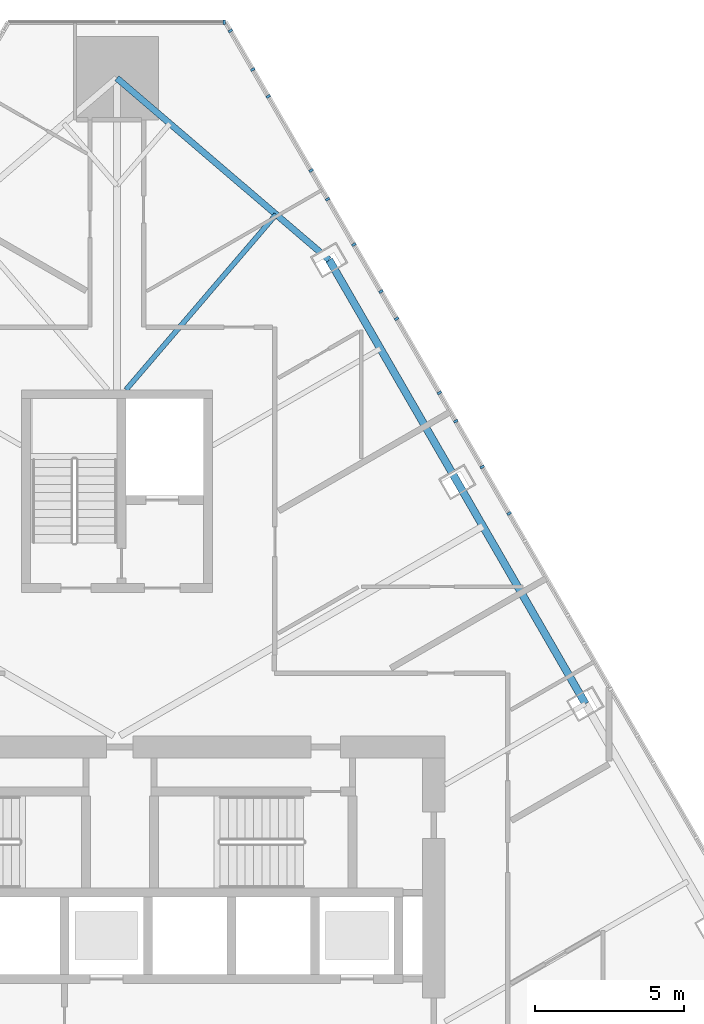
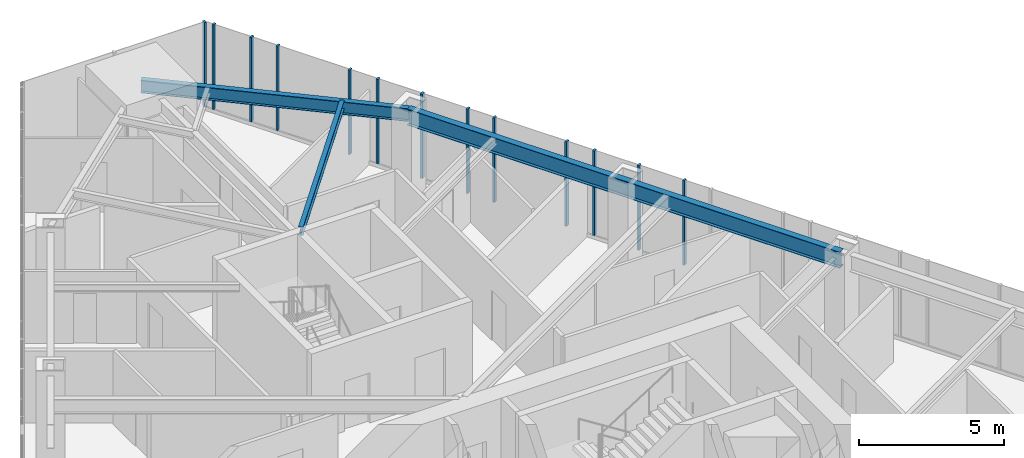
# One storey, part 12 of 24: 13 members, 3 beams, 2 elements without a shape of their own.
"""IFC4 building model written with IfcOpenShell, lengths in metres."""

from ifc_helpers import new_model, si_unit, direction, frame, origin, origin_2d, place, context, subcontext, project, spatial, rectangle, i_section, extrude, material, layer, layer_set, material_profile, profile_set, type_object, element, aggregate, save


model = new_model("IFC4")

# Units and contexts
model_context = context("Model", 3, precision=1e-05, world=origin(), true_north=direction((0.0, 1.0)))
body_context = subcontext(model_context, "Body", "Model", "MODEL_VIEW")
ifc_project = project(units=[si_unit("LENGTHUNIT", "METRE"), si_unit("AREAUNIT", "SQUARE_METRE"), si_unit("VOLUMEUNIT", "CUBIC_METRE"), si_unit("PLANEANGLEUNIT", "RADIAN"), si_unit("MASSUNIT", "GRAM", prefix="KILO")], contexts=[model_context])

# Site, building, storey
site_placement = place(None, origin())
site = spatial("IfcSite", under=ifc_project, at=site_placement, CompositionType="ELEMENT")
building_placement = place(site_placement, origin())
building = spatial("IfcBuilding", under=site, at=building_placement, Name="Firuza Gate Tower and Library", CompositionType="ELEMENT")
storey_placement = place(building_placement, frame((0.0, 0.0, 206.5)))
storey = spatial("IfcBuildingStorey", under=building, at=storey_placement, Name="L48", CompositionType="ELEMENT", Elevation=206.5)

# Curtain wall, members
ifc_material_1 = material(Name="Aluminium 6063-T6", Category="aluminium")
ifc_layer_1 = layer(ifc_material_1, 0.14990234375)
ifc_layer_set_1 = layer_set([ifc_layer_1], Name="Unitised curtain wall, hotel")
curtain_wall_type_1 = type_object("IfcCurtainWallType", Name="Unitised curtain wall, hotel", PredefinedType="NOTDEFINED", material=ifc_layer_set_1)
placement = place(storey_placement, origin())
curtain_wall_1 = element("IfcCurtainWall", 1, at=placement, inside=storey, type_object=curtain_wall_type_1, Name="CW2 L48 E face", PredefinedType="NOTDEFINED")
ifc_material_2 = material(Name="Aluminium 6063-T6", Category="aluminium")
ifc_material_profile_1 = material_profile(ifc_material_2, rectangle(XDim=0.14990234375, YDim=0.080078125, at=origin_2d()))
ifc_profile_set_1 = profile_set([ifc_material_profile_1], Name="Aluminium 6063-T6")
member_type = type_object("IfcMemberType", Name="Curtain wall mullion 80x150", PredefinedType="MULLION", material=ifc_profile_set_1)
member_1_placement = place(storey_placement, frame((87.25146484375, 92.01318359375, 0.14990234375), z_axis=(0.0, 0.0, 1.0), x_axis=(-0.866025403784, -0.5, 0.0)))
member_1 = element("IfcMember", 2, at=member_1_placement, type_object=member_type, Name="Mullion", PredefinedType="MULLION", context=body_context, shape_type="SweptSolid", body=[
    extrude(rectangle(XDim=0.14990234375, YDim=0.080078125, at=origin_2d()), origin(), (0.0, 0.0, 1.0), 3.550048828125),
])
member_2_placement = place(storey_placement, frame((85.81689453125, 94.498291015625, 0.14990234375), z_axis=(0.0, 0.0, 1.0), x_axis=(-0.866025403784, -0.5, 0.0)))
member_2 = element("IfcMember", 3, at=member_2_placement, type_object=member_type, Name="Mullion", PredefinedType="MULLION", context=body_context, shape_type="SweptSolid", body=[
    extrude(rectangle(XDim=0.14990234375, YDim=0.080078125, at=origin_2d()), origin(), (0.0, 0.0, 1.0), 3.550048828125),
])
member_3_placement = place(storey_placement, frame((84.382080078125, 96.983154296875, 0.14990234375), z_axis=(0.0, 0.0, 1.0), x_axis=(-0.866025403784, -0.5, 0.0)))
member_3 = element("IfcMember", 4, at=member_3_placement, type_object=member_type, Name="Mullion", PredefinedType="MULLION", context=body_context, shape_type="SweptSolid", body=[
    extrude(rectangle(XDim=0.14990234375, YDim=0.080078125, at=origin_2d()), origin(), (0.0, 0.0, 1.0), 3.550048828125),
])
member_4_placement = place(storey_placement, frame((82.947265625, 99.46826171875, 0.14990234375), z_axis=(0.0, 0.0, 1.0), x_axis=(-0.866025403784, -0.5, 0.0)))
member_4 = element("IfcMember", 5, at=member_4_placement, type_object=member_type, Name="Mullion", PredefinedType="MULLION", context=body_context, shape_type="SweptSolid", body=[
    extrude(rectangle(XDim=0.14990234375, YDim=0.080078125, at=origin_2d()), origin(), (0.0, 0.0, 1.0), 3.550048828125),
])
member_5_placement = place(storey_placement, frame((81.5126953125, 101.953125, 0.14990234375), z_axis=(0.0, 0.0, 1.0), x_axis=(-0.866025403784, -0.5, 0.0)))
member_5 = element("IfcMember", 6, at=member_5_placement, type_object=member_type, Name="Mullion", PredefinedType="MULLION", context=body_context, shape_type="SweptSolid", body=[
    extrude(rectangle(XDim=0.14990234375, YDim=0.080078125, at=origin_2d()), origin(), (0.0, 0.0, 1.0), 3.550048828125),
])
member_6_placement = place(storey_placement, frame((80.077880859375, 104.43798828125, 0.14990234375), z_axis=(0.0, 0.0, 1.0), x_axis=(-0.866025403784, -0.5, 0.0)))
member_6 = element("IfcMember", 7, at=member_6_placement, type_object=member_type, Name="Mullion", PredefinedType="MULLION", context=body_context, shape_type="SweptSolid", body=[
    extrude(rectangle(XDim=0.14990234375, YDim=0.080078125, at=origin_2d()), origin(), (0.0, 0.0, 1.0), 3.550048828125),
])
member_7_placement = place(storey_placement, frame((88.15185546875, 90.45361328125, 0.14990234375), z_axis=(0.0, 0.0, 1.0), x_axis=(-0.866025403784, -0.5, 0.0)))
member_7 = element("IfcMember", 8, at=member_7_placement, type_object=member_type, Name="Mullion", PredefinedType="MULLION", context=body_context, shape_type="SweptSolid", body=[
    extrude(rectangle(XDim=0.14990234375, YDim=0.080078125, at=origin_2d()), origin(), (0.0, 0.0, 1.0), 3.550048828125),
])
member_8_placement = place(storey_placement, frame((86.365478515625, 93.5478515625, 0.14990234375), z_axis=(0.0, 0.0, 1.0), x_axis=(-0.866025403784, -0.5, 0.0)))
member_8 = element("IfcMember", 9, at=member_8_placement, type_object=member_type, Name="Mullion", PredefinedType="MULLION", context=body_context, shape_type="SweptSolid", body=[
    extrude(rectangle(XDim=0.14990234375, YDim=0.080078125, at=origin_2d()), origin(), (0.0, 0.0, 1.0), 3.550048828125),
])
member_9_placement = place(storey_placement, frame((83.85498046875, 97.89599609375, 0.14990234375), z_axis=(0.0, 0.0, 1.0), x_axis=(-0.866025403784, -0.5, 0.0)))
member_9 = element("IfcMember", 10, at=member_9_placement, type_object=member_type, Name="Mullion", PredefinedType="MULLION", context=body_context, shape_type="SweptSolid", body=[
    extrude(rectangle(XDim=0.14990234375, YDim=0.080078125, at=origin_2d()), origin(), (0.0, 0.0, 1.0), 3.550048828125),
])
member_10_placement = place(storey_placement, frame((82.068603515625, 100.990234375, 0.14990234375), z_axis=(0.0, 0.0, 1.0), x_axis=(-0.866025403784, -0.5, 0.0)))
member_10 = element("IfcMember", 11, at=member_10_placement, type_object=member_type, Name="Mullion", PredefinedType="MULLION", context=body_context, shape_type="SweptSolid", body=[
    extrude(rectangle(XDim=0.14990234375, YDim=0.080078125, at=origin_2d()), origin(), (0.0, 0.0, 1.0), 3.550048828125),
])
member_11_placement = place(storey_placement, frame((79.55810546875, 105.33837890625, 0.14990234375), z_axis=(0.0, 0.0, 1.0), x_axis=(-0.866025403784, -0.5, 0.0)))
member_11 = element("IfcMember", 12, at=member_11_placement, type_object=member_type, Name="Mullion", PredefinedType="MULLION", context=body_context, shape_type="SweptSolid", body=[
    extrude(rectangle(XDim=0.14990234375, YDim=0.080078125, at=origin_2d()), origin(), (0.0, 0.0, 1.0), 3.550048828125),
])
member_12_placement = place(storey_placement, frame((78.808837890625, 106.63623046875, 0.14990234375), z_axis=(0.0, 0.0, 1.0), x_axis=(-0.866025403784, -0.5, 0.0)))
member_12 = element("IfcMember", 13, at=member_12_placement, type_object=member_type, Name="Mullion", PredefinedType="MULLION", context=body_context, shape_type="SweptSolid", body=[
    extrude(rectangle(XDim=0.14990234375, YDim=0.080078125, at=origin_2d()), origin(), (0.0, 0.0, 1.0), 3.550048828125),
])
aggregate(curtain_wall_1, [member_1, member_2, member_3, member_4, member_5, member_6, member_7, member_8, member_9, member_10, member_11, member_12])

# Curtain wall, member
ifc_material_3 = material(Name="Aluminium 6063-T6", Category="aluminium")
ifc_layer_2 = layer(ifc_material_3, 0.14990234375)
ifc_layer_set_2 = layer_set([ifc_layer_2], Name="Corner curtain wall, chamfers")
curtain_wall_type_2 = type_object("IfcCurtainWallType", Name="Corner curtain wall, chamfers", PredefinedType="NOTDEFINED", material=ifc_layer_set_2)
curtain_wall_2 = element("IfcCurtainWall", 14, at=placement, inside=storey, type_object=curtain_wall_type_2, Name="CW4 L48 N corner", PredefinedType="NOTDEFINED")
member_13_placement = place(storey_placement, frame((78.603271484375, 106.923095703125, 0.14990234375), z_axis=(0.0, 0.0, 1.0), x_axis=(0.0, -1.0, 0.0)))
member_13 = element("IfcMember", 15, at=member_13_placement, type_object=member_type, Name="Mullion", PredefinedType="MULLION", context=body_context, shape_type="SweptSolid", body=[
    extrude(rectangle(XDim=0.14990234375, YDim=0.080078125, at=origin_2d()), origin(), (0.0, 0.0, 1.0), 3.550048828125),
])
aggregate(curtain_wall_2, [member_13])

# Beams
ifc_material_4 = material(Name="Steel S355", Category="steel")
ifc_material_profile_2 = material_profile(ifc_material_4, i_section(OverallWidth=0.1708984375, OverallDepth=0.35498046875, WebThickness=0.007080078125, FlangeThickness=0.01171875, at=origin_2d()))
ifc_profile_set_2 = profile_set([ifc_material_profile_2], Name="Steel S355")
beam_type_1 = type_object("IfcBeamType", Name="W360x51 Floor beam", PredefinedType="JOIST", material=ifc_profile_set_2)
beam_1_placement = place(storey_placement, frame((80.338134765625, 100.478759765625, 3.5224609375), z_axis=(-0.650297579559, -0.759679575887, 0.0), x_axis=(0.759679575887, -0.650297579559, 0.0)))
element("IfcBeam", 16, at=beam_1_placement, inside=storey, type_object=beam_type_1, Name="Floor beam L48 s60", PredefinedType="JOIST", context=body_context, shape_type="SweptSolid", body=[
    extrude(i_section(OverallWidth=0.1708984375, OverallDepth=0.35498046875, WebThickness=0.007080078125, FlangeThickness=0.01171875, at=origin_2d()), origin(), (0.0, 0.0, 1.0), 7.73828125),
])
ifc_material_5 = material(Name="Steel S355", Category="steel")
ifc_material_profile_3 = material_profile(ifc_material_5, i_section(OverallWidth=0.212890625, OverallDepth=0.5390625, WebThickness=0.01171875, FlangeThickness=0.018798828125, at=origin_2d()))
ifc_profile_set_3 = profile_set([ifc_material_profile_3], Name="Steel S355")
beam_type_2 = type_object("IfcBeamType", Name="W530x109 Edge beam", PredefinedType="SPANDREL", material=ifc_profile_set_3)
beam_2_placement = place(storey_placement, frame((82.117431640625, 98.95556640625, 3.430419921875), z_axis=(-0.759685024289, 0.650291214665, 0.0), x_axis=(-0.650291214665, -0.759685024289, 0.0)))
element("IfcBeam", 17, at=beam_2_placement, inside=storey, type_object=beam_type_2, Name="Edge beam L48 e60", PredefinedType="SPANDREL", context=body_context, shape_type="SweptSolid", body=[
    extrude(i_section(OverallWidth=0.212890625, OverallDepth=0.5390625, WebThickness=0.01171875, FlangeThickness=0.018798828125, at=origin_2d()), origin(), (0.0, 0.0, 1.0), 9.368896484375),
])
ifc_material_6 = material(Name="Steel S355", Category="steel")
ifc_material_profile_4 = material_profile(ifc_material_6, i_section(OverallWidth=0.2529296875, OverallDepth=0.677978515625, WebThickness=0.01171875, FlangeThickness=0.016357421875, at=origin_2d()))
ifc_profile_set_4 = profile_set([ifc_material_profile_4], Name="Steel S355")
beam_type_3 = type_object("IfcBeamType", Name="W690x125 Edge beam", PredefinedType="SPANDREL", material=ifc_profile_set_4)
beam_3_placement = place(storey_placement, frame((90.711181640625, 84.07080078125, 3.361083984375), z_axis=(-0.500001158966, 0.866024734654, 0.0), x_axis=(-0.866024734654, -0.500001158966, 0.0)))
element("IfcBeam", 18, at=beam_3_placement, inside=storey, type_object=beam_type_3, Name="Edge beam L48 e52", PredefinedType="SPANDREL", context=body_context, shape_type="SweptSolid", body=[
    extrude(i_section(OverallWidth=0.2529296875, OverallDepth=0.677978515625, WebThickness=0.01171875, FlangeThickness=0.016357421875, at=origin_2d()), origin(), (0.0, 0.0, 1.0), 17.1875),
])

save(model, "model.ifc")
